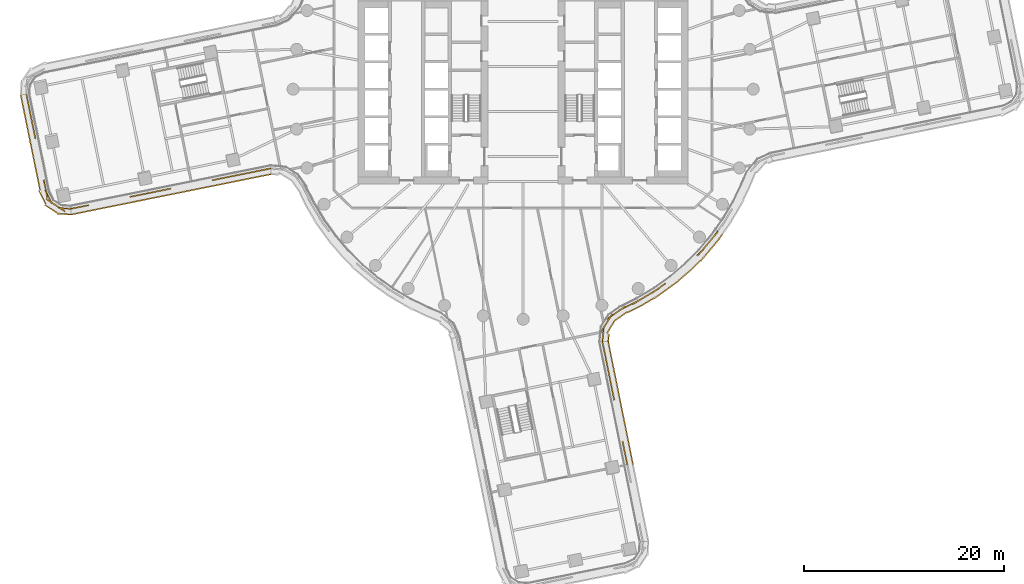
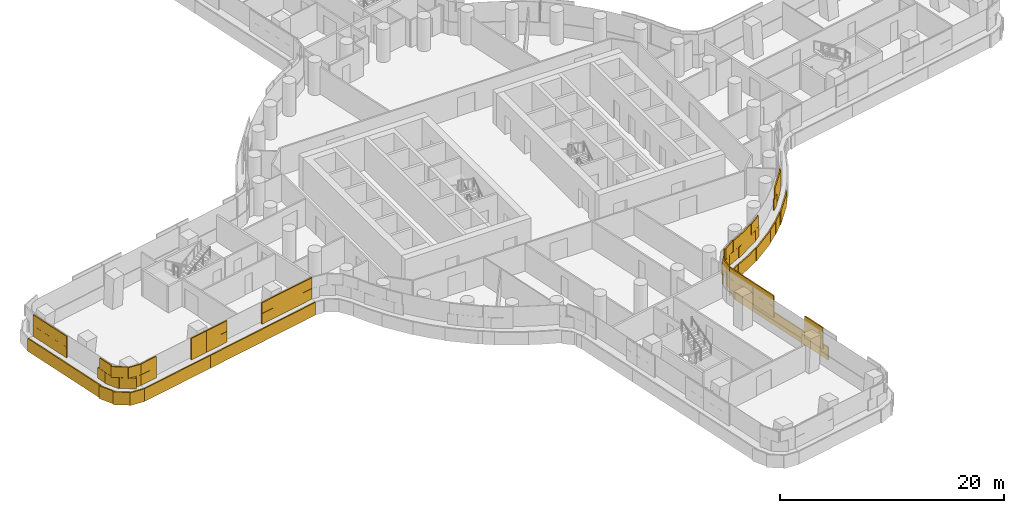
# One storey, part 25 of 31: 5 coverings.
"""IFC4 building model written with IfcOpenShell, lengths in metres."""

import ifcopenshell
import ifcopenshell.guid

model = None  # the IFC model being written
_history = None  # IfcOwnerHistory: only IFC2X3 demands one
_inside = {}  # id of a spatial element -> (the spatial element, [elements in it])
_under = {}  # id of a project, library or spatial element -> (it, [spatial elements below it])
_declared = {}  # id of a project -> (the project, [libraries it declares])
_typed = {}  # id of a type object -> (the type object, [elements of that type])
_made_of = {}  # id of a material, layer set ... -> (it, [elements and type objects made of it])


def new_model(schema):
    """Start an empty IFC model of exactly this schema.

    Asked for "IFC4X3", IfcOpenShell would pick the latest addendum, in which some entities
    have other attributes; the version numbers below select the first issue.
    IFC2X3 requires an IfcOwnerHistory on every rooted entity: one is made here for all.
    """
    global model, _history
    if schema == "IFC4X3":
        model = ifcopenshell.file(schema_version=(4, 3, 0, 0))
    else:
        model = ifcopenshell.file(schema=schema)
    _inside.clear()
    _under.clear()
    _declared.clear()
    _typed.clear()
    _made_of.clear()
    _history = None
    if model.schema == "IFC2X3":
        org = make("IfcOrganization", Name="unknown")
        user = make(
            "IfcPersonAndOrganization",
            ThePerson=make("IfcPerson", FamilyName="unknown"),
            TheOrganization=org,
        )
        app = make(
            "IfcApplication",
            ApplicationDeveloper=org,
            Version="unknown",
            ApplicationFullName="unknown",
            ApplicationIdentifier="unknown",
        )
        _history = make(
            "IfcOwnerHistory",
            OwningUser=user,
            OwningApplication=app,
            ChangeAction="ADDED",
            CreationDate=0,
        )
    return model


def make(cls, **values):
    """One entity of the class cls with the attributes given. An attribute that is None is left unset."""
    return model.create_entity(
        cls, **{name: value for name, value in values.items() if value is not None}
    )


def rooted(cls, **values):
    """An entity with a GlobalId (a new one), such as an element, a storey or a relation."""
    return make(cls, GlobalId=ifcopenshell.guid.new(), OwnerHistory=_history, **values)


def si_unit(unit_type, name, prefix=None):
    """IfcSIUnit, for example si_unit("LENGTHUNIT", "METRE", prefix="MILLI")."""
    return make("IfcSIUnit", UnitType=unit_type, Prefix=prefix, Name=name)


def assignment(units):
    """IfcUnitAssignment: the units of a project."""
    return None if units is None else make("IfcUnitAssignment", Units=units)


def point(xyz):
    """IfcCartesianPoint."""
    return None if xyz is None else make("IfcCartesianPoint", Coordinates=xyz)


def direction(xyz):
    """IfcDirection."""
    return None if xyz is None else make("IfcDirection", DirectionRatios=xyz)


def frame(location, z_axis=None, x_axis=None):
    """IfcAxis2Placement3D, a coordinate frame: its origin and axes. An axis left out is left unset."""
    return make(
        "IfcAxis2Placement3D",
        Location=point(location),
        Axis=direction(z_axis),
        RefDirection=direction(x_axis),
    )


def frame_2d(location, x_axis=None):
    """IfcAxis2Placement2D, a coordinate frame in the plane: its origin and x axis."""
    return make(
        "IfcAxis2Placement2D", Location=point(location), RefDirection=direction(x_axis)
    )


def origin():
    """The frame at (0, 0, 0) with its axes left unset."""
    return frame((0.0, 0.0, 0.0))


def origin_2d():
    """The frame at (0, 0) in the plane with its x axis left unset."""
    return frame_2d((0.0, 0.0))


def place(relative_to, where):
    """IfcLocalPlacement: puts the frame where relative to a parent placement (None: the world)."""
    return make(
        "IfcLocalPlacement", PlacementRelTo=relative_to, RelativePlacement=where
    )


def context(
    kind, dimensions, precision=None, world=None, true_north=None, identifier=None
):
    """IfcGeometricRepresentationContext, for example the 3D "Model" context."""
    return make(
        "IfcGeometricRepresentationContext",
        ContextIdentifier=identifier,
        ContextType=kind,
        CoordinateSpaceDimension=dimensions,
        Precision=precision,
        WorldCoordinateSystem=world,
        TrueNorth=true_north,
    )


def subcontext(parent, identifier, kind, view, scale=None):
    """IfcGeometricRepresentationSubContext, for example "Body" below "Model"."""
    return make(
        "IfcGeometricRepresentationSubContext",
        ContextIdentifier=identifier,
        ContextType=kind,
        ParentContext=parent,
        TargetScale=scale,
        TargetView=view,
    )


def project(units=None, contexts=None):
    """IfcProject with its units and contexts."""
    return rooted(
        "IfcProject",
        Name="project",
        RepresentationContexts=contexts,
        UnitsInContext=assignment(units),
    )


def spatial(cls, under=None, at=None, **own):
    """A site, building, storey or space (cls), placed at a placement, below another one or the project."""
    s = rooted(cls, ObjectPlacement=at, **own)
    if under is not None:
        _under.setdefault(under.id(), (under, []))[1].append(s)
    return s


def profile(cls, at=None, kind="AREA", **sizes):
    """A parametric profile (cls). Its sizes go by their IFC names, for example OverallWidth=200.0."""
    return make(cls, ProfileType=kind, Position=at, **sizes)


def rectangle(**sizes):
    """IfcRectangleProfileDef."""
    return profile("IfcRectangleProfileDef", **sizes)


def extrude(swept, where, along, depth):
    """IfcExtrudedAreaSolid: the profile swept, set in the frame where, extruded along a direction by depth."""
    return make(
        "IfcExtrudedAreaSolid",
        SweptArea=swept,
        Position=where,
        ExtrudedDirection=direction(along),
        Depth=depth,
    )


def shape(context_of_items, identifier, shape_type, items):
    """IfcShapeRepresentation: the items that make up one representation, for example the "Body"."""
    return make(
        "IfcShapeRepresentation",
        ContextOfItems=context_of_items,
        RepresentationIdentifier=identifier,
        RepresentationType=shape_type,
        Items=items,
    )


def material(Name=None, Category=None):
    """IfcMaterial."""
    return make("IfcMaterial", Name=Name, Category=Category)


def layer(
    of_material, thickness, ventilated=None, Name=None, Category=None, Priority=None
):
    """IfcMaterialLayer: one layer of a wall or slab, of a material (None: an air gap)."""
    return make(
        "IfcMaterialLayer",
        Material=of_material,
        LayerThickness=thickness,
        IsVentilated=ventilated,
        Name=Name,
        Category=Category,
        Priority=Priority,
    )


def layer_set(layers, Name=None):
    """IfcMaterialLayerSet."""
    return make("IfcMaterialLayerSet", MaterialLayers=layers, LayerSetName=Name)


def made_of(thing, what):
    """Note that an element or type object is made of a material, layer set ...; save() writes the relation."""
    if what is not None:
        _made_of.setdefault(what.id(), (what, []))[1].append(thing)
    return thing


def type_object(cls, material=None, **own):
    """A type object (cls), such as IfcWallType, which elements share."""
    return made_of(rooted(cls, **own), material)


def element(
    cls,
    number,
    at=None,
    inside=None,
    cuts=None,
    type_object=None,
    material=None,
    context=None,
    identifier="Body",
    shape_type=None,
    held_by="IfcProductDefinitionShape",
    body=None,
    shapes=None,
    **own,
):
    """One element of the class cls, such as IfcWall. Its Tag is "e" and its number.

    at: its placement. inside: the storey or other place that contains it. cuts: it is an
    opening in that element (IfcRelVoidsElement). A single representation is given by context,
    identifier, shape_type and body (its items); several are given by shapes. held_by: the class
    of the entity that holds the representations. save() writes the other relations.
    """
    e = rooted(cls, Tag="e%d" % number, ObjectPlacement=at, **own)
    if body is not None:
        shapes = [shape(context, identifier, shape_type, body)]
    if shapes is not None:
        e.Representation = make(held_by, Representations=shapes)
    if inside is not None:
        _inside.setdefault(inside.id(), (inside, []))[1].append(e)
    if cuts is not None:
        rooted(
            "IfcRelVoidsElement", RelatingBuildingElement=cuts, RelatedOpeningElement=e
        )
    if type_object is not None:
        _typed.setdefault(type_object.id(), (type_object, []))[1].append(e)
    return made_of(e, material)


def aggregate(whole, parts):
    """IfcRelAggregates: a whole, such as a stair, and the parts it consists of."""
    return rooted("IfcRelAggregates", RelatingObject=whole, RelatedObjects=parts)


def save(model, path):
    """Write the relations noted so far, then the file.

    IfcRelAggregates (storeys below a building ...), IfcRelContainedInSpatialStructure (elements
    in a storey), IfcRelDefinesByType, IfcRelAssociatesMaterial and IfcRelDeclares: one each for
    every whole, place, type object, material and project.
    """
    for whole, parts in _under.values():
        aggregate(whole, parts)
    for where, things in _inside.values():
        rooted(
            "IfcRelContainedInSpatialStructure",
            RelatedElements=things,
            RelatingStructure=where,
        )
    for kind, things in _typed.values():
        rooted("IfcRelDefinesByType", RelatedObjects=things, RelatingType=kind)
    for what, things in _made_of.values():
        rooted("IfcRelAssociatesMaterial", RelatedObjects=things, RelatingMaterial=what)
    for by, libraries in _declared.values():
        rooted("IfcRelDeclares", RelatingContext=by, RelatedDefinitions=libraries)
    model.write(path)


model = new_model("IFC4")

# Units and contexts
model_context = context("Model", 3, precision=1e-05, world=origin(), true_north=direction((0.0, 1.0)))
body_context = subcontext(model_context, "Body", "Model", "MODEL_VIEW")
ifc_project = project(units=[si_unit("LENGTHUNIT", "METRE"), si_unit("AREAUNIT", "SQUARE_METRE"), si_unit("VOLUMEUNIT", "CUBIC_METRE"), si_unit("PLANEANGLEUNIT", "RADIAN"), si_unit("MASSUNIT", "GRAM", prefix="KILO")], contexts=[model_context])

# Site, building, storey
site_placement = place(None, origin())
site = spatial("IfcSite", under=ifc_project, at=site_placement, CompositionType="ELEMENT")
building_placement = place(site_placement, origin())
building = spatial("IfcBuilding", under=site, at=building_placement, Name="Tamarind Cross Interchange Tower", CompositionType="ELEMENT")
storey_placement = place(building_placement, frame((0.0, 0.0, 75.25)))
storey = spatial("IfcBuildingStorey", under=building, at=storey_placement, Name="L17", CompositionType="ELEMENT", Elevation=75.25)

# Coverings
ifc_material = material(Name="Terracotta", Category="masonry")
ifc_layer = layer(ifc_material, 0.1201171875)
ifc_layer_set = layer_set([ifc_layer], Name="Terracotta")
covering_type = type_object("IfcCoveringType", Name="Terracotta baguette screen unit", PredefinedType="MOLDING", material=ifc_layer_set)
covering_1_placement = place(storey_placement, origin())
element("IfcCovering", 1, at=covering_1_placement, inside=storey, type_object=covering_type, Name="SCR-L17-00-00", PredefinedType="MOLDING", context=body_context, shape_type="SweptSolid", body=[
    extrude(rectangle(XDim=0.760009765625, YDim=0.1201171875, at=origin_2d()), frame((-49.59619140625, -0.879150390625, 1.404052734375), z_axis=(0.0, 0.0, 1.0), x_axis=(0.199244791873, -0.979949750197, 0.0)), (0.0, 0.0, 1.0), 1.1669921875),
    extrude(rectangle(XDim=1.52001953125, YDim=0.1201171875, at=origin_2d()), frame((-49.3720703125, -1.981689453125, 1.404052734375), z_axis=(0.0, 0.0, 1.0), x_axis=(0.199244791873, -0.979949750197, 0.0)), (0.0, 0.0, 1.0), 1.1669921875),
    extrude(rectangle(XDim=1.52001953125, YDim=0.1201171875, at=origin_2d()), frame((-49.0732421875, -3.45166015625, 1.404052734375), z_axis=(0.0, 0.0, 1.0), x_axis=(0.199244791873, -0.979949750197, 0.0)), (0.0, 0.0, 1.0), 1.1669921875),
    extrude(rectangle(XDim=0.784912109375, YDim=0.1201171875, at=origin_2d()), frame((-48.846435546875, -4.566162109375, 1.404052734375), z_axis=(0.0, 0.0, 1.0), x_axis=(0.199244791873, -0.979949750197, 0.0)), (0.0, 0.0, 1.0), 1.1669921875),
    extrude(rectangle(XDim=1.03515625, YDim=0.1201171875, at=origin_2d()), frame((-47.830322265625, -9.56396484375, 1.404052734375), z_axis=(0.0, 0.0, 1.0), x_axis=(0.199244791873, -0.979949750197, 0.0)), (0.0, 0.0, 1.0), 1.1669921875),
    extrude(rectangle(XDim=1.52001953125, YDim=0.1201171875, at=origin_2d()), frame((-47.461181640625, -10.7607421875, 1.404052734375), z_axis=(0.0, 0.0, 1.0), x_axis=(0.446085348818, -0.894990425407, 0.0)), (0.0, 0.0, 1.0), 1.1669921875),
    extrude(rectangle(XDim=1.52001953125, YDim=0.1201171875, at=origin_2d()), frame((-46.441162109375, -11.792724609375, 1.404052734375), z_axis=(0.0, 0.0, 1.0), x_axis=(0.833816457036, -0.552041770137, 0.0)), (0.0, 0.0, 1.0), 1.1669921875),
    extrude(rectangle(XDim=0.509521484375, YDim=0.1201171875, at=origin_2d()), frame((-45.47265625, -11.941650390625, 1.404052734375), z_axis=(0.0, 0.0, 1.0), x_axis=(0.998127118955, -0.061173968371, 0.0)), (0.0, 0.0, 1.0), 1.1669921875),
    extrude(rectangle(XDim=1.510009765625, YDim=0.1201171875, at=origin_2d()), frame((-49.521484375, -1.24658203125, 2.5791015625), z_axis=(0.0, 0.0, 1.0), x_axis=(0.199244791873, -0.979949750197, 0.0)), (0.0, 0.0, 1.0), 1.1669921875),
    extrude(rectangle(XDim=1.52001953125, YDim=0.1201171875, at=origin_2d()), frame((-49.22265625, -2.716552734375, 2.5791015625), z_axis=(0.0, 0.0, 1.0), x_axis=(0.199244791873, -0.979949750197, 0.0)), (0.0, 0.0, 1.0), 1.1669921875),
    extrude(rectangle(XDim=1.52001953125, YDim=0.1201171875, at=origin_2d()), frame((-48.923828125, -4.1865234375, 2.5791015625), z_axis=(0.0, 0.0, 1.0), x_axis=(0.199244791873, -0.979949750197, 0.0)), (0.0, 0.0, 1.0), 1.1669921875),
    extrude(rectangle(XDim=1.52001953125, YDim=0.1201171875, at=origin_2d()), frame((-47.728271484375, -10.066162109375, 2.5791015625), z_axis=(0.0, 0.0, 1.0), x_axis=(0.199244791873, -0.979949750197, 0.0)), (0.0, 0.0, 1.0), 1.1669921875),
    extrude(rectangle(XDim=1.52001953125, YDim=0.1201171875, at=origin_2d()), frame((-47.066650390625, -11.378662109375, 2.5791015625), z_axis=(0.0, 0.0, 1.0), x_axis=(0.833816457036, -0.552041770137, 0.0)), (0.0, 0.0, 1.0), 1.1669921875),
    extrude(rectangle(XDim=1.259521484375, YDim=0.1201171875, at=origin_2d()), frame((-45.846923828125, -11.918701171875, 2.5791015625), z_axis=(0.0, 0.0, 1.0), x_axis=(0.998127118955, -0.061173968371, 0.0)), (0.0, 0.0, 1.0), 1.1669921875),
    extrude(rectangle(XDim=0.760009765625, YDim=0.1201171875, at=origin_2d()), frame((-50.1728515625, -0.92431640625, 0.00390625), z_axis=(0.0, 0.0, 1.0), x_axis=(0.199244791873, -0.979949750197, 0.0)), (0.0, 0.0, 1.0), 1.39208984375),
    extrude(rectangle(XDim=1.52001953125, YDim=0.1201171875, at=origin_2d()), frame((-49.94970703125, -2.02197265625, 0.00390625), z_axis=(0.0, 0.0, 1.0), x_axis=(0.199244791873, -0.979949750197, 0.0)), (0.0, 0.0, 1.0), 1.39208984375),
    extrude(rectangle(XDim=1.52001953125, YDim=0.1201171875, at=origin_2d()), frame((-49.650634765625, -3.491943359375, 0.00390625), z_axis=(0.0, 0.0, 1.0), x_axis=(0.199244791873, -0.979949750197, 0.0)), (0.0, 0.0, 1.0), 1.39208984375),
    extrude(rectangle(XDim=1.52001953125, YDim=0.1201171875, at=origin_2d()), frame((-49.351806640625, -4.961669921875, 0.00390625), z_axis=(0.0, 0.0, 1.0), x_axis=(0.199244791873, -0.979949750197, 0.0)), (0.0, 0.0, 1.0), 1.39208984375),
    extrude(rectangle(XDim=1.52001953125, YDim=0.1201171875, at=origin_2d()), frame((-49.052978515625, -6.431640625, 0.00390625), z_axis=(0.0, 0.0, 1.0), x_axis=(0.199244791873, -0.979949750197, 0.0)), (0.0, 0.0, 1.0), 1.39208984375),
    extrude(rectangle(XDim=1.52001953125, YDim=0.1201171875, at=origin_2d()), frame((-48.754150390625, -7.901611328125, 0.00390625), z_axis=(0.0, 0.0, 1.0), x_axis=(0.199244791873, -0.979949750197, 0.0)), (0.0, 0.0, 1.0), 1.39208984375),
    extrude(rectangle(XDim=1.52001953125, YDim=0.1201171875, at=origin_2d()), frame((-48.455322265625, -9.37158203125, 0.00390625), z_axis=(0.0, 0.0, 1.0), x_axis=(0.199244791873, -0.979949750197, 0.0)), (0.0, 0.0, 1.0), 1.39208984375),
    extrude(rectangle(XDim=1.52001953125, YDim=0.1201171875, at=origin_2d()), frame((-48.076171875, -10.81396484375, 0.00390625), z_axis=(0.0, 0.0, 1.0), x_axis=(0.446085348818, -0.894990425407, 0.0)), (0.0, 0.0, 1.0), 1.39208984375),
    extrude(rectangle(XDim=1.52001953125, YDim=0.1201171875, at=origin_2d()), frame((-47.20361328125, -11.9765625, 0.00390625), z_axis=(0.0, 0.0, 1.0), x_axis=(0.833816457036, -0.552041770137, 0.0)), (0.0, 0.0, 1.0), 1.39208984375),
    extrude(rectangle(XDim=1.4267578125, YDim=0.1201171875, at=origin_2d()), frame((-45.895263671875, -12.49072265625, 0.00390625), z_axis=(0.0, 0.0, 1.0), x_axis=(0.998127118955, -0.061173968371, 0.0)), (0.0, 0.0, 1.0), 1.39208984375),
])
covering_2_placement = place(storey_placement, origin())
element("IfcCovering", 2, at=covering_2_placement, inside=storey, type_object=covering_type, Name="SCR-L17-01-00", PredefinedType="MOLDING", context=body_context, shape_type="SweptSolid", body=[
    extrude(rectangle(XDim=0.760009765625, YDim=0.1201171875, at=origin_2d()), frame((-44.855712890625, -11.882568359375, 1.404052734375), z_axis=(0.0, 0.0, 1.0), x_axis=(0.980197408272, 0.19802282903, 0.0)), (0.0, 0.0, 1.0), 1.1669921875),
    extrude(rectangle(XDim=1.07373046875, YDim=0.1201171875, at=origin_2d()), frame((-43.966796875, -11.702880859375, 1.404052734375), z_axis=(0.0, 0.0, 1.0), x_axis=(0.980197408272, 0.19802282903, 0.0)), (0.0, 0.0, 1.0), 1.1669921875),
    extrude(rectangle(XDim=0.746337890625, YDim=0.1201171875, at=origin_2d()), frame((-38.9677734375, -10.693115234375, 1.404052734375), z_axis=(0.0, 0.0, 1.0), x_axis=(0.980197408272, 0.19802282903, 0.0)), (0.0, 0.0, 1.0), 1.1669921875),
    extrude(rectangle(XDim=1.08740234375, YDim=0.1201171875, at=origin_2d()), frame((-38.078857421875, -10.513427734375, 1.404052734375), z_axis=(0.0, 0.0, 1.0), x_axis=(0.980197408272, 0.19802282903, 0.0)), (0.0, 0.0, 1.0), 1.1669921875),
    extrude(rectangle(XDim=1.510009765625, YDim=0.1201171875, at=origin_2d()), frame((-44.488037109375, -11.808349609375, 2.5791015625), z_axis=(0.0, 0.0, 1.0), x_axis=(0.980197408272, 0.19802282903, 0.0)), (0.0, 0.0, 1.0), 1.1669921875),
    extrude(rectangle(XDim=0.32373046875, YDim=0.1201171875, at=origin_2d()), frame((-43.59912109375, -11.628662109375, 2.5791015625), z_axis=(0.0, 0.0, 1.0), x_axis=(0.980197408272, 0.19802282903, 0.0)), (0.0, 0.0, 1.0), 1.1669921875),
    extrude(rectangle(XDim=1.496337890625, YDim=0.1201171875, at=origin_2d()), frame((-38.60009765625, -10.618896484375, 2.5791015625), z_axis=(0.0, 0.0, 1.0), x_axis=(0.980197408272, 0.19802282903, 0.0)), (0.0, 0.0, 1.0), 1.1669921875),
    extrude(rectangle(XDim=0.33740234375, YDim=0.1201171875, at=origin_2d()), frame((-37.711181640625, -10.439208984375, 2.5791015625), z_axis=(0.0, 0.0, 1.0), x_axis=(0.980197408272, 0.19802282903, 0.0)), (0.0, 0.0, 1.0), 1.1669921875),
    extrude(rectangle(XDim=0.760009765625, YDim=0.1201171875, at=origin_2d()), frame((-44.810791015625, -12.459228515625, 0.00390625), z_axis=(0.0, 0.0, 1.0), x_axis=(0.980197408272, 0.19802282903, 0.0)), (0.0, 0.0, 1.0), 1.39208984375),
    extrude(rectangle(XDim=1.52001953125, YDim=0.1201171875, at=origin_2d()), frame((-43.712890625, -12.2373046875, 0.00390625), z_axis=(0.0, 0.0, 1.0), x_axis=(0.980197408272, 0.19802282903, 0.0)), (0.0, 0.0, 1.0), 1.39208984375),
    extrude(rectangle(XDim=1.52001953125, YDim=0.1201171875, at=origin_2d()), frame((-42.24267578125, -11.940185546875, 0.00390625), z_axis=(0.0, 0.0, 1.0), x_axis=(0.980197408272, 0.19802282903, 0.0)), (0.0, 0.0, 1.0), 1.39208984375),
    extrude(rectangle(XDim=1.52001953125, YDim=0.1201171875, at=origin_2d()), frame((-40.7724609375, -11.643310546875, 0.00390625), z_axis=(0.0, 0.0, 1.0), x_axis=(0.980197408272, 0.19802282903, 0.0)), (0.0, 0.0, 1.0), 1.39208984375),
    extrude(rectangle(XDim=1.52001953125, YDim=0.1201171875, at=origin_2d()), frame((-39.302001953125, -11.34619140625, 0.00390625), z_axis=(0.0, 0.0, 1.0), x_axis=(0.980197408272, 0.19802282903, 0.0)), (0.0, 0.0, 1.0), 1.39208984375),
    extrude(rectangle(XDim=1.083740234375, YDim=0.1201171875, at=origin_2d()), frame((-38.045654296875, -11.09228515625, 0.00390625), z_axis=(0.0, 0.0, 1.0), x_axis=(0.980197408272, 0.19802282903, 0.0)), (0.0, 0.0, 1.0), 1.39208984375),
])
covering_3_placement = place(storey_placement, origin())
element("IfcCovering", 3, at=covering_3_placement, inside=storey, type_object=covering_type, Name="SCR-L17-01-01", PredefinedType="MOLDING", context=body_context, shape_type="SweptSolid", body=[
    extrude(rectangle(XDim=0.432373046875, YDim=0.1201171875, at=origin_2d()), frame((-37.34375, -10.364990234375, 1.404052734375), z_axis=(0.0, 0.0, 1.0), x_axis=(0.980197408272, 0.19802282903, 0.0)), (0.0, 0.0, 1.0), 1.1669921875),
    extrude(rectangle(XDim=1.52001953125, YDim=0.1201171875, at=origin_2d()), frame((-36.4013671875, -10.174560546875, 1.404052734375), z_axis=(0.0, 0.0, 1.0), x_axis=(0.980197408272, 0.19802282903, 0.0)), (0.0, 0.0, 1.0), 1.1669921875),
    extrude(rectangle(XDim=0.487060546875, YDim=0.1201171875, at=origin_2d()), frame((-35.432373046875, -9.978759765625, 1.404052734375), z_axis=(0.0, 0.0, 1.0), x_axis=(0.980197408272, 0.19802282903, 0.0)), (0.0, 0.0, 1.0), 1.1669921875),
    extrude(rectangle(XDim=1.332763671875, YDim=0.1201171875, at=origin_2d()), frame((-30.43359375, -8.968994140625, 1.404052734375), z_axis=(0.0, 0.0, 1.0), x_axis=(0.980197408272, 0.19802282903, 0.0)), (0.0, 0.0, 1.0), 1.1669921875),
    extrude(rectangle(XDim=1.52001953125, YDim=0.1201171875, at=origin_2d()), frame((-29.050048828125, -8.689453125, 1.404052734375), z_axis=(0.0, 0.0, 1.0), x_axis=(0.980197408272, 0.19802282903, 0.0)), (0.0, 0.0, 1.0), 1.1669921875),
    extrude(rectangle(XDim=1.52001953125, YDim=0.1201171875, at=origin_2d()), frame((-27.57958984375, -8.392333984375, 1.404052734375), z_axis=(0.0, 0.0, 1.0), x_axis=(0.980197408272, 0.19802282903, 0.0)), (0.0, 0.0, 1.0), 1.1669921875),
    extrude(rectangle(XDim=1.52001953125, YDim=0.1201171875, at=origin_2d()), frame((-26.109375, -8.095458984375, 1.404052734375), z_axis=(0.0, 0.0, 1.0), x_axis=(0.980197408272, 0.19802282903, 0.0)), (0.0, 0.0, 1.0), 1.1669921875),
    extrude(rectangle(XDim=0.14892578125, YDim=0.1201171875, at=origin_2d()), frame((-25.30615234375, -7.93310546875, 1.404052734375), z_axis=(0.0, 0.0, 1.0), x_axis=(0.980197408272, 0.19802282903, 0.0)), (0.0, 0.0, 1.0), 1.1669921875),
    extrude(rectangle(XDim=1.182373046875, YDim=0.1201171875, at=origin_2d()), frame((-36.97607421875, -10.290771484375, 2.5791015625), z_axis=(0.0, 0.0, 1.0), x_axis=(0.980197408272, 0.19802282903, 0.0)), (0.0, 0.0, 1.0), 1.1669921875),
    extrude(rectangle(XDim=1.237060546875, YDim=0.1201171875, at=origin_2d()), frame((-35.800048828125, -10.05322265625, 2.5791015625), z_axis=(0.0, 0.0, 1.0), x_axis=(0.980197408272, 0.19802282903, 0.0)), (0.0, 0.0, 1.0), 1.1669921875),
    extrude(rectangle(XDim=0.582763671875, YDim=0.1201171875, at=origin_2d()), frame((-30.801025390625, -9.043212890625, 2.5791015625), z_axis=(0.0, 0.0, 1.0), x_axis=(0.980197408272, 0.19802282903, 0.0)), (0.0, 0.0, 1.0), 1.1669921875),
    extrude(rectangle(XDim=1.52001953125, YDim=0.1201171875, at=origin_2d()), frame((-29.78515625, -8.837890625, 2.5791015625), z_axis=(0.0, 0.0, 1.0), x_axis=(0.980197408272, 0.19802282903, 0.0)), (0.0, 0.0, 1.0), 1.1669921875),
    extrude(rectangle(XDim=1.52001953125, YDim=0.1201171875, at=origin_2d()), frame((-28.31494140625, -8.541015625, 2.5791015625), z_axis=(0.0, 0.0, 1.0), x_axis=(0.980197408272, 0.19802282903, 0.0)), (0.0, 0.0, 1.0), 1.1669921875),
    extrude(rectangle(XDim=1.52001953125, YDim=0.1201171875, at=origin_2d()), frame((-26.844482421875, -8.243896484375, 2.5791015625), z_axis=(0.0, 0.0, 1.0), x_axis=(0.980197408272, 0.19802282903, 0.0)), (0.0, 0.0, 1.0), 1.1669921875),
    extrude(rectangle(XDim=0.89892578125, YDim=0.1201171875, at=origin_2d()), frame((-25.673828125, -8.00732421875, 2.5791015625), z_axis=(0.0, 0.0, 1.0), x_axis=(0.980197408272, 0.19802282903, 0.0)), (0.0, 0.0, 1.0), 1.1669921875),
    extrude(rectangle(XDim=0.436279296875, YDim=0.1201171875, at=origin_2d()), frame((-37.30078125, -10.94189453125, 0.00390625), z_axis=(0.0, 0.0, 1.0), x_axis=(0.980197408272, 0.19802282903, 0.0)), (0.0, 0.0, 1.0), 1.39208984375),
    extrude(rectangle(XDim=1.52001953125, YDim=0.1201171875, at=origin_2d()), frame((-36.361572265625, -10.752197265625, 0.00390625), z_axis=(0.0, 0.0, 1.0), x_axis=(0.980197408272, 0.19802282903, 0.0)), (0.0, 0.0, 1.0), 1.39208984375),
    extrude(rectangle(XDim=1.52001953125, YDim=0.1201171875, at=origin_2d()), frame((-34.89111328125, -10.455078125, 0.00390625), z_axis=(0.0, 0.0, 1.0), x_axis=(0.980197408272, 0.19802282903, 0.0)), (0.0, 0.0, 1.0), 1.39208984375),
    extrude(rectangle(XDim=1.52001953125, YDim=0.1201171875, at=origin_2d()), frame((-33.4208984375, -10.158203125, 0.00390625), z_axis=(0.0, 0.0, 1.0), x_axis=(0.980197408272, 0.19802282903, 0.0)), (0.0, 0.0, 1.0), 1.39208984375),
    extrude(rectangle(XDim=1.52001953125, YDim=0.1201171875, at=origin_2d()), frame((-31.95068359375, -9.861083984375, 0.00390625), z_axis=(0.0, 0.0, 1.0), x_axis=(0.980197408272, 0.19802282903, 0.0)), (0.0, 0.0, 1.0), 1.39208984375),
    extrude(rectangle(XDim=1.52001953125, YDim=0.1201171875, at=origin_2d()), frame((-30.480224609375, -9.56396484375, 0.00390625), z_axis=(0.0, 0.0, 1.0), x_axis=(0.980197408272, 0.19802282903, 0.0)), (0.0, 0.0, 1.0), 1.39208984375),
    extrude(rectangle(XDim=1.52001953125, YDim=0.1201171875, at=origin_2d()), frame((-29.010009765625, -9.26708984375, 0.00390625), z_axis=(0.0, 0.0, 1.0), x_axis=(0.980197408272, 0.19802282903, 0.0)), (0.0, 0.0, 1.0), 1.39208984375),
    extrude(rectangle(XDim=1.52001953125, YDim=0.1201171875, at=origin_2d()), frame((-27.539794921875, -8.969970703125, 0.00390625), z_axis=(0.0, 0.0, 1.0), x_axis=(0.980197408272, 0.19802282903, 0.0)), (0.0, 0.0, 1.0), 1.39208984375),
    extrude(rectangle(XDim=1.52001953125, YDim=0.1201171875, at=origin_2d()), frame((-26.0693359375, -8.6728515625, 0.00390625), z_axis=(0.0, 0.0, 1.0), x_axis=(0.980197408272, 0.19802282903, 0.0)), (0.0, 0.0, 1.0), 1.39208984375),
    extrude(rectangle(XDim=0.13916015625, YDim=0.1201171875, at=origin_2d()), frame((-25.27587890625, -8.5126953125, 0.00390625), z_axis=(0.0, 0.0, 1.0), x_axis=(0.980197408272, 0.19802282903, 0.0)), (0.0, 0.0, 1.0), 1.39208984375),
])
covering_4_placement = place(storey_placement, origin())
element("IfcCovering", 4, at=covering_4_placement, inside=storey, type_object=covering_type, Name="SCR-L17-05-01", PredefinedType="MOLDING", context=body_context, shape_type="SweptSolid", body=[
    extrude(rectangle(XDim=0.432373046875, YDim=0.1201171875, at=origin_2d()), frame((10.364990234375, -37.34375, 1.404052734375), z_axis=(0.0, 0.0, 1.0), x_axis=(-0.19802282903, 0.980197408272, 0.0)), (0.0, 0.0, 1.0), 1.1669921875),
    extrude(rectangle(XDim=1.52001953125, YDim=0.1201171875, at=origin_2d()), frame((10.174560546875, -36.4013671875, 1.404052734375), z_axis=(0.0, 0.0, 1.0), x_axis=(-0.19802282903, 0.980197408272, 0.0)), (0.0, 0.0, 1.0), 1.1669921875),
    extrude(rectangle(XDim=0.487060546875, YDim=0.1201171875, at=origin_2d()), frame((9.978759765625, -35.432373046875, 1.404052734375), z_axis=(0.0, 0.0, 1.0), x_axis=(-0.19802282903, 0.980197408272, 0.0)), (0.0, 0.0, 1.0), 1.1669921875),
    extrude(rectangle(XDim=1.332763671875, YDim=0.1201171875, at=origin_2d()), frame((8.968994140625, -30.43359375, 1.404052734375), z_axis=(0.0, 0.0, 1.0), x_axis=(-0.19802282903, 0.980197408272, 0.0)), (0.0, 0.0, 1.0), 1.1669921875),
    extrude(rectangle(XDim=1.52001953125, YDim=0.1201171875, at=origin_2d()), frame((8.689453125, -29.050048828125, 1.404052734375), z_axis=(0.0, 0.0, 1.0), x_axis=(-0.19802282903, 0.980197408272, 0.0)), (0.0, 0.0, 1.0), 1.1669921875),
    extrude(rectangle(XDim=1.52001953125, YDim=0.1201171875, at=origin_2d()), frame((8.392333984375, -27.57958984375, 1.404052734375), z_axis=(0.0, 0.0, 1.0), x_axis=(-0.19802282903, 0.980197408272, 0.0)), (0.0, 0.0, 1.0), 1.1669921875),
    extrude(rectangle(XDim=1.52001953125, YDim=0.1201171875, at=origin_2d()), frame((8.095458984375, -26.109375, 1.404052734375), z_axis=(0.0, 0.0, 1.0), x_axis=(-0.19802282903, 0.980197408272, 0.0)), (0.0, 0.0, 1.0), 1.1669921875),
    extrude(rectangle(XDim=0.14892578125, YDim=0.1201171875, at=origin_2d()), frame((7.93310546875, -25.30615234375, 1.404052734375), z_axis=(0.0, 0.0, 1.0), x_axis=(-0.19802282903, 0.980197408272, 0.0)), (0.0, 0.0, 1.0), 1.1669921875),
    extrude(rectangle(XDim=1.182373046875, YDim=0.1201171875, at=origin_2d()), frame((10.290771484375, -36.97607421875, 2.5791015625), z_axis=(0.0, 0.0, 1.0), x_axis=(-0.19802282903, 0.980197408272, 0.0)), (0.0, 0.0, 1.0), 1.1669921875),
    extrude(rectangle(XDim=1.237060546875, YDim=0.1201171875, at=origin_2d()), frame((10.05322265625, -35.800048828125, 2.5791015625), z_axis=(0.0, 0.0, 1.0), x_axis=(-0.19802282903, 0.980197408272, 0.0)), (0.0, 0.0, 1.0), 1.1669921875),
    extrude(rectangle(XDim=0.582763671875, YDim=0.1201171875, at=origin_2d()), frame((9.043212890625, -30.801025390625, 2.5791015625), z_axis=(0.0, 0.0, 1.0), x_axis=(-0.19802282903, 0.980197408272, 0.0)), (0.0, 0.0, 1.0), 1.1669921875),
    extrude(rectangle(XDim=1.52001953125, YDim=0.1201171875, at=origin_2d()), frame((8.837890625, -29.78515625, 2.5791015625), z_axis=(0.0, 0.0, 1.0), x_axis=(-0.19802282903, 0.980197408272, 0.0)), (0.0, 0.0, 1.0), 1.1669921875),
    extrude(rectangle(XDim=1.52001953125, YDim=0.1201171875, at=origin_2d()), frame((8.541015625, -28.31494140625, 2.5791015625), z_axis=(0.0, 0.0, 1.0), x_axis=(-0.19802282903, 0.980197408272, 0.0)), (0.0, 0.0, 1.0), 1.1669921875),
    extrude(rectangle(XDim=1.52001953125, YDim=0.1201171875, at=origin_2d()), frame((8.243896484375, -26.844482421875, 2.5791015625), z_axis=(0.0, 0.0, 1.0), x_axis=(-0.19802282903, 0.980197408272, 0.0)), (0.0, 0.0, 1.0), 1.1669921875),
    extrude(rectangle(XDim=0.89892578125, YDim=0.1201171875, at=origin_2d()), frame((8.00732421875, -25.673828125, 2.5791015625), z_axis=(0.0, 0.0, 1.0), x_axis=(-0.19802282903, 0.980197408272, 0.0)), (0.0, 0.0, 1.0), 1.1669921875),
    extrude(rectangle(XDim=0.436279296875, YDim=0.1201171875, at=origin_2d()), frame((10.94189453125, -37.30078125, 0.00390625), z_axis=(0.0, 0.0, 1.0), x_axis=(-0.19802282903, 0.980197408272, 0.0)), (0.0, 0.0, 1.0), 1.39208984375),
    extrude(rectangle(XDim=1.52001953125, YDim=0.1201171875, at=origin_2d()), frame((10.752197265625, -36.361572265625, 0.00390625), z_axis=(0.0, 0.0, 1.0), x_axis=(-0.19802282903, 0.980197408272, 0.0)), (0.0, 0.0, 1.0), 1.39208984375),
    extrude(rectangle(XDim=1.52001953125, YDim=0.1201171875, at=origin_2d()), frame((10.455078125, -34.89111328125, 0.00390625), z_axis=(0.0, 0.0, 1.0), x_axis=(-0.19802282903, 0.980197408272, 0.0)), (0.0, 0.0, 1.0), 1.39208984375),
    extrude(rectangle(XDim=1.52001953125, YDim=0.1201171875, at=origin_2d()), frame((10.158203125, -33.4208984375, 0.00390625), z_axis=(0.0, 0.0, 1.0), x_axis=(-0.19802282903, 0.980197408272, 0.0)), (0.0, 0.0, 1.0), 1.39208984375),
    extrude(rectangle(XDim=1.52001953125, YDim=0.1201171875, at=origin_2d()), frame((9.861083984375, -31.95068359375, 0.00390625), z_axis=(0.0, 0.0, 1.0), x_axis=(-0.19802282903, 0.980197408272, 0.0)), (0.0, 0.0, 1.0), 1.39208984375),
    extrude(rectangle(XDim=1.52001953125, YDim=0.1201171875, at=origin_2d()), frame((9.56396484375, -30.480224609375, 0.00390625), z_axis=(0.0, 0.0, 1.0), x_axis=(-0.19802282903, 0.980197408272, 0.0)), (0.0, 0.0, 1.0), 1.39208984375),
    extrude(rectangle(XDim=1.52001953125, YDim=0.1201171875, at=origin_2d()), frame((9.26708984375, -29.010009765625, 0.00390625), z_axis=(0.0, 0.0, 1.0), x_axis=(-0.19802282903, 0.980197408272, 0.0)), (0.0, 0.0, 1.0), 1.39208984375),
    extrude(rectangle(XDim=1.52001953125, YDim=0.1201171875, at=origin_2d()), frame((8.969970703125, -27.539794921875, 0.00390625), z_axis=(0.0, 0.0, 1.0), x_axis=(-0.19802282903, 0.980197408272, 0.0)), (0.0, 0.0, 1.0), 1.39208984375),
    extrude(rectangle(XDim=1.52001953125, YDim=0.1201171875, at=origin_2d()), frame((8.6728515625, -26.0693359375, 0.00390625), z_axis=(0.0, 0.0, 1.0), x_axis=(-0.19802282903, 0.980197408272, 0.0)), (0.0, 0.0, 1.0), 1.39208984375),
    extrude(rectangle(XDim=0.13916015625, YDim=0.1201171875, at=origin_2d()), frame((8.5126953125, -25.27587890625, 0.00390625), z_axis=(0.0, 0.0, 1.0), x_axis=(-0.19802282903, 0.980197408272, 0.0)), (0.0, 0.0, 1.0), 1.39208984375),
])
covering_5_placement = place(storey_placement, origin())
element("IfcCovering", 5, at=covering_5_placement, inside=storey, type_object=covering_type, Name="SCR-L17-06-00", PredefinedType="MOLDING", context=body_context, shape_type="SweptSolid", body=[
    extrude(rectangle(XDim=0.760009765625, YDim=0.1201171875, at=origin_2d()), frame((7.954833984375, -24.86474609375, 1.404052734375), z_axis=(0.0, 0.0, 1.0), x_axis=(0.094653247542, 0.995510302674, 0.0)), (0.0, 0.0, 1.0), 1.1669921875),
    extrude(rectangle(XDim=1.52001953125, YDim=0.1201171875, at=origin_2d()), frame((8.1015625, -23.75830078125, 1.404052734375), z_axis=(0.0, 0.0, 1.0), x_axis=(0.525577525371, 0.850745711024, 0.0)), (0.0, 0.0, 1.0), 1.1669921875),
    extrude(rectangle(XDim=1.52001953125, YDim=0.1201171875, at=origin_2d()), frame((8.980224609375, -22.567626953125, 1.404052734375), z_axis=(0.0, 0.0, 1.0), x_axis=(0.820605067188, 0.571495690015, 0.0)), (0.0, 0.0, 1.0), 1.1669921875),
    extrude(rectangle(XDim=1.52001953125, YDim=0.1201171875, at=origin_2d()), frame((10.2509765625, -21.77783203125, 1.404052734375), z_axis=(0.0, 0.0, 1.0), x_axis=(0.896492548518, 0.443058811505, 0.0)), (0.0, 0.0, 1.0), 1.1669921875),
    extrude(rectangle(XDim=1.52001953125, YDim=0.1201171875, at=origin_2d()), frame((11.59375, -21.10986328125, 1.404052734375), z_axis=(0.0, 0.0, 1.0), x_axis=(0.856843065292, 0.515577308909, 0.0)), (0.0, 0.0, 1.0), 1.1669921875),
    extrude(rectangle(XDim=1.52001953125, YDim=0.1201171875, at=origin_2d()), frame((12.879150390625, -20.336669921875, 1.404052734375), z_axis=(0.0, 0.0, 1.0), x_axis=(0.856843065292, 0.515577308909, 0.0)), (0.0, 0.0, 1.0), 1.1669921875),
    extrude(rectangle(XDim=0.885498046875, YDim=0.1201171875, at=origin_2d()), frame((13.863037109375, -19.6728515625, 1.404052734375), z_axis=(0.0, 0.0, 1.0), x_axis=(0.811340475102, 0.584573890505, 0.0)), (0.0, 0.0, 1.0), 1.1669921875),
    extrude(rectangle(XDim=0.934326171875, YDim=0.1201171875, at=origin_2d()), frame((17.69970703125, -16.32861328125, 1.404052734375), z_axis=(0.0, 0.0, 1.0), x_axis=(0.704057148523, 0.710143317658, 0.0)), (0.0, 0.0, 1.0), 1.1669921875),
    extrude(rectangle(XDim=1.52001953125, YDim=0.1201171875, at=origin_2d()), frame((18.487060546875, -15.4072265625, 1.404052734375), z_axis=(0.0, 0.0, 1.0), x_axis=(0.643009266048, 0.765858396687, 0.0)), (0.0, 0.0, 1.0), 1.1669921875),
    extrude(rectangle(XDim=0.822265625, YDim=0.1201171875, at=origin_2d()), frame((19.214111328125, -14.50927734375, 1.404052734375), z_axis=(0.0, 0.0, 1.0), x_axis=(0.577568978284, 0.816341886298, 0.0)), (0.0, 0.0, 1.0), 1.1669921875),
    extrude(rectangle(XDim=1.510009765625, YDim=0.1201171875, at=origin_2d()), frame((7.990234375, -24.491455078125, 2.5791015625), z_axis=(0.0, 0.0, 1.0), x_axis=(0.094653247542, 0.995510302674, 0.0)), (0.0, 0.0, 1.0), 1.1669921875),
    extrude(rectangle(XDim=1.52001953125, YDim=0.1201171875, at=origin_2d()), frame((8.495849609375, -23.120361328125, 2.5791015625), z_axis=(0.0, 0.0, 1.0), x_axis=(0.525577525371, 0.850745711024, 0.0)), (0.0, 0.0, 1.0), 1.1669921875),
    extrude(rectangle(XDim=1.52001953125, YDim=0.1201171875, at=origin_2d()), frame((9.595458984375, -22.138916015625, 2.5791015625), z_axis=(0.0, 0.0, 1.0), x_axis=(0.820605067188, 0.571495690015, 0.0)), (0.0, 0.0, 1.0), 1.1669921875),
    extrude(rectangle(XDim=1.52001953125, YDim=0.1201171875, at=origin_2d()), frame((10.92333984375, -21.445556640625, 2.5791015625), z_axis=(0.0, 0.0, 1.0), x_axis=(0.896492548518, 0.443058811505, 0.0)), (0.0, 0.0, 1.0), 1.1669921875),
    extrude(rectangle(XDim=1.52001953125, YDim=0.1201171875, at=origin_2d()), frame((12.236572265625, -20.723388671875, 2.5791015625), z_axis=(0.0, 0.0, 1.0), x_axis=(0.856843065292, 0.515577308909, 0.0)), (0.0, 0.0, 1.0), 1.1669921875),
    extrude(rectangle(XDim=1.52001953125, YDim=0.1201171875, at=origin_2d()), frame((13.5078125, -19.928955078125, 2.5791015625), z_axis=(0.0, 0.0, 1.0), x_axis=(0.811340475102, 0.584573890505, 0.0)), (0.0, 0.0, 1.0), 1.1669921875),
    extrude(rectangle(XDim=1.52001953125, YDim=0.1201171875, at=origin_2d()), frame((18.004638671875, -15.981689453125, 2.5791015625), z_axis=(0.0, 0.0, 1.0), x_axis=(0.643009266048, 0.765858396687, 0.0)), (0.0, 0.0, 1.0), 1.1669921875),
    extrude(rectangle(XDim=1.52001953125, YDim=0.1201171875, at=origin_2d()), frame((18.96923828125, -14.8330078125, 2.5791015625), z_axis=(0.0, 0.0, 1.0), x_axis=(0.643009266048, 0.765858396687, 0.0)), (0.0, 0.0, 1.0), 1.1669921875),
    extrude(rectangle(XDim=0.072265625, YDim=0.1201171875, at=origin_2d()), frame((19.4306640625, -14.203125, 2.5791015625), z_axis=(0.0, 0.0, 1.0), x_axis=(0.577568978284, 0.816341886298, 0.0)), (0.0, 0.0, 1.0), 1.1669921875),
    extrude(rectangle(XDim=0.760009765625, YDim=0.1201171875, at=origin_2d()), frame((8.534912109375, -24.829345703125, 0.00390625), z_axis=(0.0, 0.0, 1.0), x_axis=(0.094653247542, 0.995510302674, 0.0)), (0.0, 0.0, 1.0), 1.39208984375),
    extrude(rectangle(XDim=1.52001953125, YDim=0.1201171875, at=origin_2d()), frame((8.775390625, -23.759765625, 0.00390625), z_axis=(0.0, 0.0, 1.0), x_axis=(0.525577525371, 0.850745711024, 0.0)), (0.0, 0.0, 1.0), 1.39208984375),
    extrude(rectangle(XDim=1.52001953125, YDim=0.1201171875, at=origin_2d()), frame((9.793212890625, -22.70068359375, 0.00390625), z_axis=(0.0, 0.0, 1.0), x_axis=(0.820605067188, 0.571495690015, 0.0)), (0.0, 0.0, 1.0), 1.39208984375),
    extrude(rectangle(XDim=1.52001953125, YDim=0.1201171875, at=origin_2d()), frame((11.112060546875, -21.992431640625, 0.00390625), z_axis=(0.0, 0.0, 1.0), x_axis=(0.896492548518, 0.443058811505, 0.0)), (0.0, 0.0, 1.0), 1.39208984375),
    extrude(rectangle(XDim=1.52001953125, YDim=0.1201171875, at=origin_2d()), frame((12.42919921875, -21.27734375, 0.00390625), z_axis=(0.0, 0.0, 1.0), x_axis=(0.856843065292, 0.515577308909, 0.0)), (0.0, 0.0, 1.0), 1.39208984375),
    extrude(rectangle(XDim=1.52001953125, YDim=0.1201171875, at=origin_2d()), frame((13.70703125, -20.49267578125, 0.00390625), z_axis=(0.0, 0.0, 1.0), x_axis=(0.811340475102, 0.584573890505, 0.0)), (0.0, 0.0, 1.0), 1.39208984375),
    extrude(rectangle(XDim=1.52001953125, YDim=0.1201171875, at=origin_2d()), frame((14.924072265625, -19.615966796875, 0.00390625), z_axis=(0.0, 0.0, 1.0), x_axis=(0.811340475102, 0.584573890505, 0.0)), (0.0, 0.0, 1.0), 1.39208984375),
    extrude(rectangle(XDim=1.52001953125, YDim=0.1201171875, at=origin_2d()), frame((16.083984375, -18.666015625, 0.00390625), z_axis=(0.0, 0.0, 1.0), x_axis=(0.760295606781, 0.64957723968, 0.0)), (0.0, 0.0, 1.0), 1.39208984375),
    extrude(rectangle(XDim=1.52001953125, YDim=0.1201171875, at=origin_2d()), frame((17.19140625, -17.65625, 0.00390625), z_axis=(0.0, 0.0, 1.0), x_axis=(0.704057148523, 0.710143317658, 0.0)), (0.0, 0.0, 1.0), 1.39208984375),
    extrude(rectangle(XDim=1.52001953125, YDim=0.1201171875, at=origin_2d()), frame((18.24462890625, -16.588623046875, 0.00390625), z_axis=(0.0, 0.0, 1.0), x_axis=(0.643009266048, 0.765858396687, 0.0)), (0.0, 0.0, 1.0), 1.39208984375),
    extrude(rectangle(XDim=1.52001953125, YDim=0.1201171875, at=origin_2d()), frame((19.209228515625, -15.439697265625, 0.00390625), z_axis=(0.0, 0.0, 1.0), x_axis=(0.643009266048, 0.765858396687, 0.0)), (0.0, 0.0, 1.0), 1.39208984375),
    extrude(rectangle(XDim=0.422119140625, YDim=0.1201171875, at=origin_2d()), frame((19.790771484375, -14.688232421875, 0.00390625), z_axis=(0.0, 0.0, 1.0), x_axis=(0.577568978284, 0.816341886298, 0.0)), (0.0, 0.0, 1.0), 1.39208984375),
])

save(model, "model.ifc")
